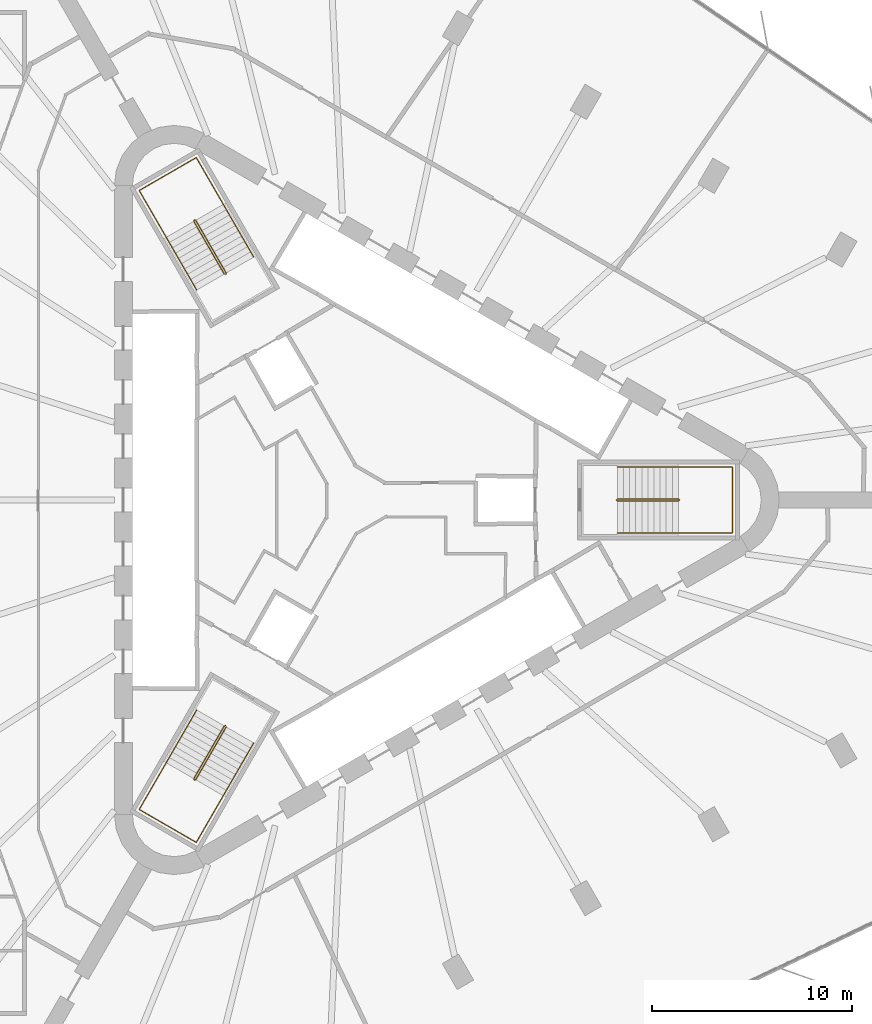
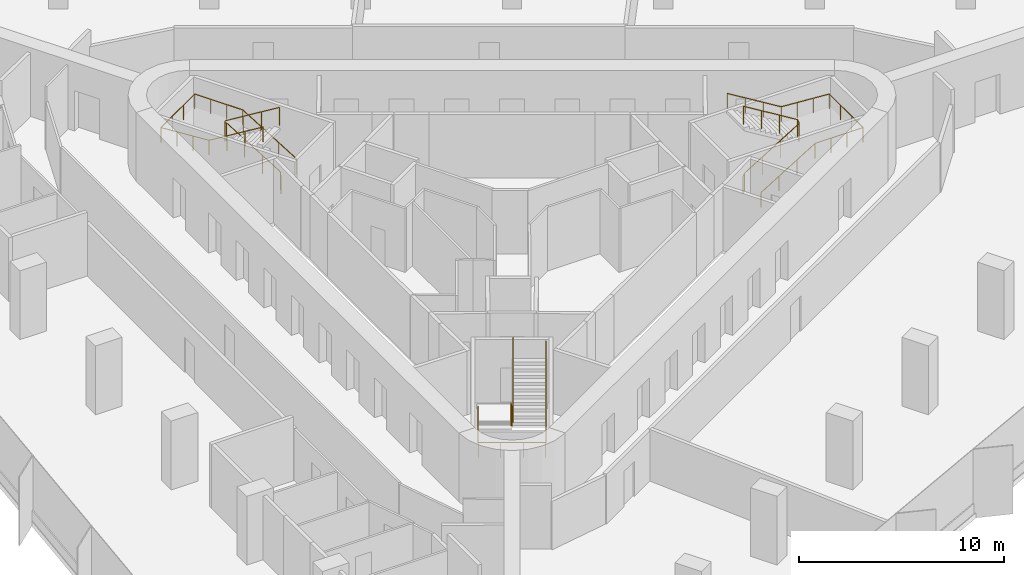
# One storey, part 15 of 15: 6 railings.
"""IFC4 building model written with IfcOpenShell, lengths in metres."""

from ifc_helpers import new_model, si_unit, direction, frame, origin, origin_2d, place, context, subcontext, project, spatial, circle, extrude, material, type_object, element, save


model = new_model("IFC4")

# Units and contexts
model_context = context("Model", 3, precision=1e-05, world=origin(), true_north=direction((0.0, 1.0)))
body_context = subcontext(model_context, "Body", "Model", "MODEL_VIEW")
ifc_project = project(units=[si_unit("LENGTHUNIT", "METRE"), si_unit("AREAUNIT", "SQUARE_METRE"), si_unit("VOLUMEUNIT", "CUBIC_METRE"), si_unit("PLANEANGLEUNIT", "RADIAN"), si_unit("MASSUNIT", "GRAM", prefix="KILO")], contexts=[model_context])

# Site, building, storey
site_placement = place(None, origin())
site = spatial("IfcSite", under=ifc_project, at=site_placement, CompositionType="ELEMENT")
building_placement = place(site_placement, origin())
building = spatial("IfcBuilding", under=site, at=building_placement, Name="Tanit Gate Tower", CompositionType="ELEMENT")
storey_placement = place(building_placement, frame((0.0, 0.0, 102.89990234375)))
storey = spatial("IfcBuildingStorey", under=building, at=storey_placement, Name="L21", CompositionType="ELEMENT", Elevation=102.89990234375)

# Railings
ifc_material_1 = material(Name="Stainless steel balustrade", Category="steel")
railing_type_1 = type_object("IfcRailingType", Name="INT-STAIR-GUARD", PredefinedType="GUARDRAIL", material=ifc_material_1)
railing_1_placement = place(storey_placement, frame((13.044921875, 0.0048828125, 0.0)))
element("IfcRailing", 1, at=railing_1_placement, inside=storey, type_object=railing_type_1, Name="L21 S1 stair guard 1", PredefinedType="GUARDRAIL", context=body_context, shape_type="SweptSolid", body=[
    extrude(circle(Radius=0.02392578125, at=origin_2d()), frame((0.0, 0.0, 1.076171875), z_axis=(0.0, -1.0, 0.0), x_axis=(1.0, 0.0, 0.0)), (0.0, 0.0, 1.0), 0.009765625),
    extrude(circle(Radius=0.02392578125, at=origin_2d()), frame((0.0, -0.009765625, 1.076171875), z_axis=(0.250869701741, -0.250869701741, 0.934948546978), x_axis=(0.707106781187, 0.707106781187, 0.0)), (0.0, 0.0, 1.0), 0.199462890625),
    extrude(circle(Radius=0.02392578125, at=origin_2d()), frame((0.050048828125, -0.059814453125, 1.2626953125), z_axis=(0.853405036568, 0.0, 0.521248351134), x_axis=(0.0, 1.0, 0.0)), (0.0, 0.0, 1.0), 3.5751953125),
    extrude(circle(Radius=0.02392578125, at=origin_2d()), frame((3.10107421875, -0.059814453125, 3.1259765625), z_axis=(0.707106781187, 0.707106781187, 0.0), x_axis=(-0.707106781187, 0.707106781187, 0.0)), (0.0, 0.0, 1.0), 0.07080078125),
    extrude(circle(Radius=0.02392578125, at=origin_2d()), frame((3.151123046875, -0.009765625, 3.1259765625), z_axis=(0.0, 1.0, 0.0), x_axis=(-1.0, 0.0, 0.0)), (0.0, 0.0, 1.0), 0.009765625),
    extrude(circle(Radius=0.02392578125, at=origin_2d()), frame((3.151123046875, 0.0, 3.1259765625), z_axis=(-0.250869701741, 0.250869701741, 0.934948546978), x_axis=(-0.707106781187, -0.707106781187, 0.0)), (0.0, 0.0, 1.0), 0.199462890625),
    extrude(circle(Radius=0.02392578125, at=origin_2d()), frame((3.10107421875, 0.050048828125, 3.3125), z_axis=(-0.853405036568, 0.0, 0.521248351134), x_axis=(0.0, -1.0, 0.0)), (0.0, 0.0, 1.0), 3.5751953125),
    extrude(circle(Radius=0.02099609375, at=origin_2d()), origin(), (0.0, 0.0, 1.0), 1.052001953125),
    extrude(circle(Radius=0.02099609375, at=origin_2d()), frame((0.0, -0.009765625, 0.0)), (0.0, 0.0, 1.0), 1.052001953125),
    extrude(circle(Radius=0.02099609375, at=origin_2d()), frame((0.050048828125, -0.059814453125, 0.1865234375)), (0.0, 0.0, 1.0), 1.052001953125),
    extrude(circle(Radius=0.02099609375, at=origin_2d()), frame((1.067138671875, -0.059814453125, 0.8076171875)), (0.0, 0.0, 1.0), 1.052001953125),
    extrude(circle(Radius=0.02099609375, at=origin_2d()), frame((2.083984375, -0.059814453125, 1.428955078125)), (0.0, 0.0, 1.0), 1.052001953125),
    extrude(circle(Radius=0.02099609375, at=origin_2d()), frame((3.10107421875, -0.059814453125, 2.050048828125)), (0.0, 0.0, 1.0), 1.052001953125),
    extrude(circle(Radius=0.02099609375, at=origin_2d()), frame((3.151123046875, -0.009765625, 2.050048828125)), (0.0, 0.0, 1.0), 1.052001953125),
    extrude(circle(Radius=0.02099609375, at=origin_2d()), frame((3.151123046875, 0.0, 2.050048828125)), (0.0, 0.0, 1.0), 1.052001953125),
    extrude(circle(Radius=0.02099609375, at=origin_2d()), frame((3.10107421875, 0.050048828125, 2.236572265625)), (0.0, 0.0, 1.0), 1.052001953125),
    extrude(circle(Radius=0.02099609375, at=origin_2d()), frame((2.083984375, 0.050048828125, 2.857666015625)), (0.0, 0.0, 1.0), 1.052001953125),
    extrude(circle(Radius=0.02099609375, at=origin_2d()), frame((1.067138671875, 0.050048828125, 3.47900390625)), (0.0, 0.0, 1.0), 1.052001953125),
    extrude(circle(Radius=0.02099609375, at=origin_2d()), frame((0.050048828125, 0.050048828125, 4.10009765625)), (0.0, 0.0, 1.0), 1.052001953125),
])
railing_2_placement = place(storey_placement, frame((-6.527099609375, 11.29345703125, 0.0)))
element("IfcRailing", 2, at=railing_2_placement, inside=storey, type_object=railing_type_1, Name="L21 S2 stair guard 1", PredefinedType="GUARDRAIL", context=body_context, shape_type="SweptSolid", body=[
    extrude(circle(Radius=0.02392578125, at=origin_2d()), frame((0.0, 0.0, 1.076171875), z_axis=(0.868243142124, 0.496138938357, 0.0), x_axis=(-0.496138938357, 0.868243142124, 0.0)), (0.0, 0.0, 1.0), 0.01171875),
    extrude(circle(Radius=0.02392578125, at=origin_2d()), frame((0.01025390625, 0.005859375, 1.076171875), z_axis=(0.09178331637, 0.342657714447, 0.934966049419), x_axis=(-0.965948051503, 0.258736085224, 0.0)), (0.0, 0.0, 1.0), 0.199462890625),
    extrude(circle(Radius=0.02392578125, at=origin_2d()), frame((0.028564453125, 0.07421875, 1.2626953125), z_axis=(-0.426651696395, 0.73893750972, 0.521478366466), x_axis=(-0.866012246495, -0.500022788402, 0.0)), (0.0, 0.0, 1.0), 3.573486328125),
    extrude(circle(Radius=0.02392578125, at=origin_2d()), frame((-1.49609375, 2.71484375, 3.1259765625), z_axis=(-0.965715946433, 0.259601060869, 0.0), x_axis=(-0.259601060869, -0.965715946433, 0.0)), (0.0, 0.0, 1.0), 0.070556640625),
    extrude(circle(Radius=0.02392578125, at=origin_2d()), frame((-1.564208984375, 2.733154296875, 3.1259765625), z_axis=(-0.873197702015, -0.487366159264, 0.0), x_axis=(0.487366159264, -0.873197702015, 0.0)), (0.0, 0.0, 1.0), 0.011962890625),
    extrude(circle(Radius=0.02392578125, at=origin_2d()), frame((-1.57470703125, 2.727294921875, 3.1259765625), z_axis=(-0.09178331637, -0.342657714447, 0.934966049419), x_axis=(0.965948051503, -0.258736085224, 0.0)), (0.0, 0.0, 1.0), 0.199462890625),
    extrude(circle(Radius=0.02392578125, at=origin_2d()), frame((-1.593017578125, 2.658935546875, 3.3125), z_axis=(0.426651696395, -0.73893750972, 0.521478366466), x_axis=(0.866012246495, 0.500022788402, 0.0)), (0.0, 0.0, 1.0), 3.573486328125),
    extrude(circle(Radius=0.02099609375, at=origin_2d()), origin(), (0.0, 0.0, 1.0), 1.052001953125),
    extrude(circle(Radius=0.02099609375, at=origin_2d()), frame((0.01025390625, 0.005859375, 0.0)), (0.0, 0.0, 1.0), 1.052001953125),
    extrude(circle(Radius=0.02099609375, at=origin_2d()), frame((0.028564453125, 0.07421875, 0.1865234375)), (0.0, 0.0, 1.0), 1.052001953125),
    extrude(circle(Radius=0.02099609375, at=origin_2d()), frame((-0.479736328125, 0.954345703125, 0.8076171875)), (0.0, 0.0, 1.0), 1.052001953125),
    extrude(circle(Radius=0.02099609375, at=origin_2d()), frame((-0.98779296875, 1.834716796875, 1.428955078125)), (0.0, 0.0, 1.0), 1.052001953125),
    extrude(circle(Radius=0.02099609375, at=origin_2d()), frame((-1.49609375, 2.71484375, 2.050048828125)), (0.0, 0.0, 1.0), 1.052001953125),
    extrude(circle(Radius=0.02099609375, at=origin_2d()), frame((-1.564208984375, 2.733154296875, 2.050048828125)), (0.0, 0.0, 1.0), 1.052001953125),
    extrude(circle(Radius=0.02099609375, at=origin_2d()), frame((-1.57470703125, 2.727294921875, 2.050048828125)), (0.0, 0.0, 1.0), 1.052001953125),
    extrude(circle(Radius=0.02099609375, at=origin_2d()), frame((-1.593017578125, 2.658935546875, 2.236572265625)), (0.0, 0.0, 1.0), 1.052001953125),
    extrude(circle(Radius=0.02099609375, at=origin_2d()), frame((-1.084716796875, 1.77880859375, 2.857666015625)), (0.0, 0.0, 1.0), 1.052001953125),
    extrude(circle(Radius=0.02099609375, at=origin_2d()), frame((-0.57666015625, 0.8984375, 3.47900390625)), (0.0, 0.0, 1.0), 1.052001953125),
    extrude(circle(Radius=0.02099609375, at=origin_2d()), frame((-0.068359375, 0.018310546875, 4.10009765625)), (0.0, 0.0, 1.0), 1.052001953125),
])
railing_3_placement = place(storey_placement, frame((-6.51806640625, -11.2998046875, 0.0)))
element("IfcRailing", 3, at=railing_3_placement, inside=storey, type_object=railing_type_1, Name="L21 S3 stair guard 1", PredefinedType="GUARDRAIL", context=body_context, shape_type="SweptSolid", body=[
    extrude(circle(Radius=0.02392578125, at=origin_2d()), frame((0.0, 0.0, 1.076171875), z_axis=(-0.874157276122, 0.485642931179, 0.0), x_axis=(-0.485642931179, -0.874157276122, 0.0)), (0.0, 0.0, 1.0), 0.010009765625),
    extrude(circle(Radius=0.02392578125, at=origin_2d()), frame((-0.0087890625, 0.0048828125, 1.076171875), z_axis=(-0.342695952383, -0.090569644558, 0.935070384359), x_axis=(0.255512919477, -0.966805641264, 0.0)), (0.0, 0.0, 1.0), 0.199462890625),
    extrude(circle(Radius=0.02392578125, at=origin_2d()), frame((-0.0771484375, -0.01318359375, 1.2626953125), z_axis=(-0.426668548982, -0.73908990167, 0.521248565042), x_axis=(0.866048339477, -0.499960272111, 0.0)), (0.0, 0.0, 1.0), 3.5751953125),
    extrude(circle(Radius=0.02392578125, at=origin_2d()), frame((-1.6025390625, -2.655517578125, 3.1259765625), z_axis=(0.258736085224, -0.965948051503, 0.0), x_axis=(0.965948051503, 0.258736085224, 0.0)), (0.0, 0.0, 1.0), 0.07080078125),
    extrude(circle(Radius=0.02392578125, at=origin_2d()), frame((-1.584228515625, -2.723876953125, 3.1259765625), z_axis=(0.868243142124, -0.496138938357, 0.0), x_axis=(0.496138938357, 0.868243142124, 0.0)), (0.0, 0.0, 1.0), 0.009765625),
    extrude(circle(Radius=0.02392578125, at=origin_2d()), frame((-1.57568359375, -2.728759765625, 3.1259765625), z_axis=(0.342657714447, 0.09178331637, 0.934966049419), x_axis=(-0.258736085224, 0.965948051503, 0.0)), (0.0, 0.0, 1.0), 0.199462890625),
    extrude(circle(Radius=0.02392578125, at=origin_2d()), frame((-1.50732421875, -2.71044921875, 3.3125), z_axis=(0.426745940485, 0.73903737685, 0.521259683745), x_axis=(-0.865993683553, 0.500054937028, 0.0)), (0.0, 0.0, 1.0), 3.574951171875),
    extrude(circle(Radius=0.02099609375, at=origin_2d()), origin(), (0.0, 0.0, 1.0), 1.052001953125),
    extrude(circle(Radius=0.02099609375, at=origin_2d()), frame((-0.0087890625, 0.0048828125, 0.0)), (0.0, 0.0, 1.0), 1.052001953125),
    extrude(circle(Radius=0.02099609375, at=origin_2d()), frame((-0.0771484375, -0.01318359375, 0.1865234375)), (0.0, 0.0, 1.0), 1.052001953125),
    extrude(circle(Radius=0.02099609375, at=origin_2d()), frame((-0.585693359375, -0.89404296875, 0.8076171875)), (0.0, 0.0, 1.0), 1.052001953125),
    extrude(circle(Radius=0.02099609375, at=origin_2d()), frame((-1.093994140625, -1.774658203125, 1.428955078125)), (0.0, 0.0, 1.0), 1.052001953125),
    extrude(circle(Radius=0.02099609375, at=origin_2d()), frame((-1.6025390625, -2.655517578125, 2.050048828125)), (0.0, 0.0, 1.0), 1.052001953125),
    extrude(circle(Radius=0.02099609375, at=origin_2d()), frame((-1.584228515625, -2.723876953125, 2.050048828125)), (0.0, 0.0, 1.0), 1.052001953125),
    extrude(circle(Radius=0.02099609375, at=origin_2d()), frame((-1.57568359375, -2.728759765625, 2.050048828125)), (0.0, 0.0, 1.0), 1.052001953125),
    extrude(circle(Radius=0.02099609375, at=origin_2d()), frame((-1.50732421875, -2.71044921875, 2.236572265625)), (0.0, 0.0, 1.0), 1.052001953125),
    extrude(circle(Radius=0.02099609375, at=origin_2d()), frame((-0.998779296875, -1.829833984375, 2.857666015625)), (0.0, 0.0, 1.0), 1.052001953125),
    extrude(circle(Radius=0.02099609375, at=origin_2d()), frame((-0.490234375, -0.948974609375, 3.47900390625)), (0.0, 0.0, 1.0), 1.052001953125),
    extrude(circle(Radius=0.02099609375, at=origin_2d()), frame((0.018310546875, -0.068359375, 4.10009765625)), (0.0, 0.0, 1.0), 1.052001953125),
])
ifc_material_2 = material(Name="Stainless steel handrail", Category="steel")
railing_type_2 = type_object("IfcRailingType", Name="INT-STAIR-HANDRAIL", PredefinedType="HANDRAIL", material=ifc_material_2)
railing_4_placement = place(storey_placement, frame((13.094970703125, -1.64990234375, 0.1865234375)))
element("IfcRailing", 4, at=railing_4_placement, inside=storey, type_object=railing_type_2, Name="L21 S1 stair handrail 1", PredefinedType="HANDRAIL", context=body_context, shape_type="SweptSolid", body=[
    extrude(circle(Radius=0.02392578125, at=origin_2d()), frame((0.0, 0.0, 0.8759765625), z_axis=(0.853405036568, 0.0, 0.521248351134), x_axis=(0.0, 1.0, 0.0)), (0.0, 0.0, 1.0), 3.5751953125),
    extrude(circle(Radius=0.02392578125, at=origin_2d()), frame((3.051025390625, 0.0, 2.7392578125), z_axis=(1.0, 0.0, 0.0), x_axis=(0.0, 1.0, 0.0)), (0.0, 0.0, 1.0), 2.7041015625),
    extrude(circle(Radius=0.02392578125, at=origin_2d()), frame((5.755126953125, 0.0, 2.7392578125), z_axis=(0.0, 1.0, 0.0), x_axis=(-1.0, 0.0, 0.0)), (0.0, 0.0, 1.0), 3.2998046875),
    extrude(circle(Radius=0.02392578125, at=origin_2d()), frame((5.755126953125, 3.2998046875, 2.7392578125), z_axis=(-0.997629475601, 0.0, 0.068814456425), x_axis=(0.0, -1.0, 0.0)), (0.0, 0.0, 1.0), 2.71044921875),
    extrude(circle(Radius=0.02392578125, at=origin_2d()), frame((3.051025390625, 3.2998046875, 2.92578125), z_axis=(-0.853405036568, 0.0, 0.521248351134), x_axis=(0.0, -1.0, 0.0)), (0.0, 0.0, 1.0), 3.5751953125),
    extrude(circle(Radius=0.02099609375, at=origin_2d()), origin(), (0.0, 0.0, 1.0), 0.851806640625),
    extrude(circle(Radius=0.02099609375, at=origin_2d()), frame((1.01708984375, 0.0, 0.62109375)), (0.0, 0.0, 1.0), 0.851806640625),
    extrude(circle(Radius=0.02099609375, at=origin_2d()), frame((2.033935546875, 0.0, 1.242431640625)), (0.0, 0.0, 1.0), 0.851806640625),
    extrude(circle(Radius=0.02099609375, at=origin_2d()), frame((3.051025390625, 0.0, 1.863525390625)), (0.0, 0.0, 1.0), 0.851806640625),
    extrude(circle(Radius=0.02099609375, at=origin_2d()), frame((3.952392578125, 0.0, 1.863525390625)), (0.0, 0.0, 1.0), 0.851806640625),
    extrude(circle(Radius=0.02099609375, at=origin_2d()), frame((4.853759765625, 0.0, 1.863525390625)), (0.0, 0.0, 1.0), 0.851806640625),
    extrude(circle(Radius=0.02099609375, at=origin_2d()), frame((5.755126953125, 0.0, 1.863525390625)), (0.0, 0.0, 1.0), 0.851806640625),
    extrude(circle(Radius=0.02099609375, at=origin_2d()), frame((5.755126953125, 1.099853515625, 1.863525390625)), (0.0, 0.0, 1.0), 0.851806640625),
    extrude(circle(Radius=0.02099609375, at=origin_2d()), frame((5.755126953125, 2.199951171875, 1.863525390625)), (0.0, 0.0, 1.0), 0.851806640625),
    extrude(circle(Radius=0.02099609375, at=origin_2d()), frame((5.755126953125, 3.2998046875, 1.863525390625)), (0.0, 0.0, 1.0), 0.851806640625),
    extrude(circle(Radius=0.02099609375, at=origin_2d()), frame((4.853759765625, 3.2998046875, 1.92578125)), (0.0, 0.0, 1.0), 0.851806640625),
    extrude(circle(Radius=0.02099609375, at=origin_2d()), frame((3.952392578125, 3.2998046875, 1.98779296875)), (0.0, 0.0, 1.0), 0.851806640625),
    extrude(circle(Radius=0.02099609375, at=origin_2d()), frame((3.051025390625, 3.2998046875, 2.050048828125)), (0.0, 0.0, 1.0), 0.851806640625),
    extrude(circle(Radius=0.02099609375, at=origin_2d()), frame((2.033935546875, 3.2998046875, 2.671142578125)), (0.0, 0.0, 1.0), 0.851806640625),
    extrude(circle(Radius=0.02099609375, at=origin_2d()), frame((1.01708984375, 3.2998046875, 3.29248046875)), (0.0, 0.0, 1.0), 0.851806640625),
    extrude(circle(Radius=0.02099609375, at=origin_2d()), frame((0.0, 3.2998046875, 3.91357421875)), (0.0, 0.0, 1.0), 0.851806640625),
])
railing_5_placement = place(storey_placement, frame((-5.1181640625, 12.164794921875, 0.1865234375)))
element("IfcRailing", 5, at=railing_5_placement, inside=storey, type_object=railing_type_2, Name="L21 S2 stair handrail 1", PredefinedType="HANDRAIL", context=body_context, shape_type="SweptSolid", body=[
    extrude(circle(Radius=0.02392578125, at=origin_2d()), frame((0.0, 0.0, 0.8759765625), z_axis=(-0.426595811233, 0.738959047773, 0.521493566166), x_axis=(-0.866046917185, -0.499962735845, 0.0)), (0.0, 0.0, 1.0), 3.573486328125),
    extrude(circle(Radius=0.02392578125, at=origin_2d()), frame((-1.5244140625, 2.640625, 2.7392578125), z_axis=(-0.500019123664, 0.86601436245, 0.0), x_axis=(-0.86601436245, -0.500019123664, 0.0)), (0.0, 0.0, 1.0), 2.70703125),
    extrude(circle(Radius=0.02392578125, at=origin_2d()), frame((-2.8779296875, 4.98486328125, 2.7392578125), z_axis=(-0.866008176907, -0.50002983664, 0.0), x_axis=(0.50002983664, -0.866008176907, 0.0)), (0.0, 0.0, 1.0), 3.300048828125),
    extrude(circle(Radius=0.02392578125, at=origin_2d()), frame((-5.73583984375, 3.334716796875, 2.7392578125), z_axis=(0.498875061953, -0.86394290581, 0.068748294973), x_axis=(0.865991810323, 0.500058181068, 0.0)), (0.0, 0.0, 1.0), 2.713134765625),
    extrude(circle(Radius=0.02392578125, at=origin_2d()), frame((-4.38232421875, 0.99072265625, 2.92578125), z_axis=(0.426630158194, -0.738968522208, 0.521452041232), x_axis=(0.866032263162, 0.499988119021, 0.0)), (0.0, 0.0, 1.0), 3.57373046875),
    extrude(circle(Radius=0.02099609375, at=origin_2d()), origin(), (0.0, 0.0, 1.0), 0.851806640625),
    extrude(circle(Radius=0.02099609375, at=origin_2d()), frame((-0.508056640625, 0.880126953125, 0.62109375)), (0.0, 0.0, 1.0), 0.851806640625),
    extrude(circle(Radius=0.02099609375, at=origin_2d()), frame((-1.016357421875, 1.760498046875, 1.242431640625)), (0.0, 0.0, 1.0), 0.851806640625),
    extrude(circle(Radius=0.02099609375, at=origin_2d()), frame((-1.5244140625, 2.640625, 1.863525390625)), (0.0, 0.0, 1.0), 0.851806640625),
    extrude(circle(Radius=0.02099609375, at=origin_2d()), frame((-1.9755859375, 3.422119140625, 1.863525390625)), (0.0, 0.0, 1.0), 0.851806640625),
    extrude(circle(Radius=0.02099609375, at=origin_2d()), frame((-2.4267578125, 4.203369140625, 1.863525390625)), (0.0, 0.0, 1.0), 0.851806640625),
    extrude(circle(Radius=0.02099609375, at=origin_2d()), frame((-2.8779296875, 4.98486328125, 1.863525390625)), (0.0, 0.0, 1.0), 0.851806640625),
    extrude(circle(Radius=0.02099609375, at=origin_2d()), frame((-3.83056640625, 4.434814453125, 1.863525390625)), (0.0, 0.0, 1.0), 0.851806640625),
    extrude(circle(Radius=0.02099609375, at=origin_2d()), frame((-4.783203125, 3.884765625, 1.863525390625)), (0.0, 0.0, 1.0), 0.851806640625),
    extrude(circle(Radius=0.02099609375, at=origin_2d()), frame((-5.73583984375, 3.334716796875, 1.863525390625)), (0.0, 0.0, 1.0), 0.851806640625),
    extrude(circle(Radius=0.02099609375, at=origin_2d()), frame((-5.28466796875, 2.553466796875, 1.92578125)), (0.0, 0.0, 1.0), 0.851806640625),
    extrude(circle(Radius=0.02099609375, at=origin_2d()), frame((-4.83349609375, 1.77197265625, 1.98779296875)), (0.0, 0.0, 1.0), 0.851806640625),
    extrude(circle(Radius=0.02099609375, at=origin_2d()), frame((-4.38232421875, 0.99072265625, 2.050048828125)), (0.0, 0.0, 1.0), 0.851806640625),
    extrude(circle(Radius=0.02099609375, at=origin_2d()), frame((-3.8740234375, 0.1103515625, 2.671142578125)), (0.0, 0.0, 1.0), 0.851806640625),
    extrude(circle(Radius=0.02099609375, at=origin_2d()), frame((-3.365966796875, -0.769775390625, 3.29248046875)), (0.0, 0.0, 1.0), 0.851806640625),
    extrude(circle(Radius=0.02099609375, at=origin_2d()), frame((-2.857666015625, -1.650146484375, 3.91357421875)), (0.0, 0.0, 1.0), 0.851806640625),
])
railing_6_placement = place(storey_placement, frame((-7.9765625, -10.515625, 0.1865234375)))
element("IfcRailing", 6, at=railing_6_placement, inside=storey, type_object=railing_type_2, Name="L21 S3 stair handrail 1", PredefinedType="HANDRAIL", context=body_context, shape_type="SweptSolid", body=[
    extrude(circle(Radius=0.02392578125, at=origin_2d()), frame((0.0, 0.0, 0.8759765625), z_axis=(-0.426668548982, -0.73908990167, 0.521248565042), x_axis=(0.866048339477, -0.499960272111, 0.0)), (0.0, 0.0, 1.0), 3.5751953125),
    extrude(circle(Radius=0.02392578125, at=origin_2d()), frame((-1.525390625, -2.642333984375, 2.7392578125), z_axis=(-0.50004290449, -0.866000631449, 0.0), x_axis=(0.866000631449, -0.50004290449, 0.0)), (0.0, 0.0, 1.0), 2.703857421875),
    extrude(circle(Radius=0.02392578125, at=origin_2d()), frame((-2.87744140625, -4.98388671875, 2.7392578125), z_axis=(0.866008176907, -0.50002983664, 0.0), x_axis=(0.50002983664, 0.866008176907, 0.0)), (0.0, 0.0, 1.0), 3.300048828125),
    extrude(circle(Radius=0.02392578125, at=origin_2d()), frame((-0.01953125, -6.634033203125, 2.7392578125), z_axis=(0.498818517556, 0.863970245648, 0.068814977864), x_axis=(-0.866023205937, 0.500003806764, 0.0)), (0.0, 0.0, 1.0), 2.71044921875),
    extrude(circle(Radius=0.02392578125, at=origin_2d()), frame((1.33251953125, -4.292236328125, 2.92578125), z_axis=(0.426668548982, 0.73908990167, 0.521248565042), x_axis=(-0.866048339477, 0.499960272111, 0.0)), (0.0, 0.0, 1.0), 3.5751953125),
    extrude(circle(Radius=0.02099609375, at=origin_2d()), origin(), (0.0, 0.0, 1.0), 0.851806640625),
    extrude(circle(Radius=0.02099609375, at=origin_2d()), frame((-0.508544921875, -0.880859375, 0.62109375)), (0.0, 0.0, 1.0), 0.851806640625),
    extrude(circle(Radius=0.02099609375, at=origin_2d()), frame((-1.016845703125, -1.761474609375, 1.242431640625)), (0.0, 0.0, 1.0), 0.851806640625),
    extrude(circle(Radius=0.02099609375, at=origin_2d()), frame((-1.525390625, -2.642333984375, 1.863525390625)), (0.0, 0.0, 1.0), 0.851806640625),
    extrude(circle(Radius=0.02099609375, at=origin_2d()), frame((-1.97607421875, -3.4228515625, 1.863525390625)), (0.0, 0.0, 1.0), 0.851806640625),
    extrude(circle(Radius=0.02099609375, at=origin_2d()), frame((-2.4267578125, -4.203369140625, 1.863525390625)), (0.0, 0.0, 1.0), 0.851806640625),
    extrude(circle(Radius=0.02099609375, at=origin_2d()), frame((-2.87744140625, -4.98388671875, 1.863525390625)), (0.0, 0.0, 1.0), 0.851806640625),
    extrude(circle(Radius=0.02099609375, at=origin_2d()), frame((-1.9248046875, -5.533935546875, 1.863525390625)), (0.0, 0.0, 1.0), 0.851806640625),
    extrude(circle(Radius=0.02099609375, at=origin_2d()), frame((-0.97216796875, -6.083984375, 1.863525390625)), (0.0, 0.0, 1.0), 0.851806640625),
    extrude(circle(Radius=0.02099609375, at=origin_2d()), frame((-0.01953125, -6.634033203125, 1.863525390625)), (0.0, 0.0, 1.0), 0.851806640625),
    extrude(circle(Radius=0.02099609375, at=origin_2d()), frame((0.43115234375, -5.853515625, 1.92578125)), (0.0, 0.0, 1.0), 0.851806640625),
    extrude(circle(Radius=0.02099609375, at=origin_2d()), frame((0.8818359375, -5.07275390625, 1.98779296875)), (0.0, 0.0, 1.0), 0.851806640625),
    extrude(circle(Radius=0.02099609375, at=origin_2d()), frame((1.33251953125, -4.292236328125, 2.050048828125)), (0.0, 0.0, 1.0), 0.851806640625),
    extrude(circle(Radius=0.02099609375, at=origin_2d()), frame((1.841064453125, -3.411376953125, 2.671142578125)), (0.0, 0.0, 1.0), 0.851806640625),
    extrude(circle(Radius=0.02099609375, at=origin_2d()), frame((2.349365234375, -2.53076171875, 3.29248046875)), (0.0, 0.0, 1.0), 0.851806640625),
    extrude(circle(Radius=0.02099609375, at=origin_2d()), frame((2.85791015625, -1.64990234375, 3.91357421875)), (0.0, 0.0, 1.0), 0.851806640625),
])

save(model, "model.ifc")
